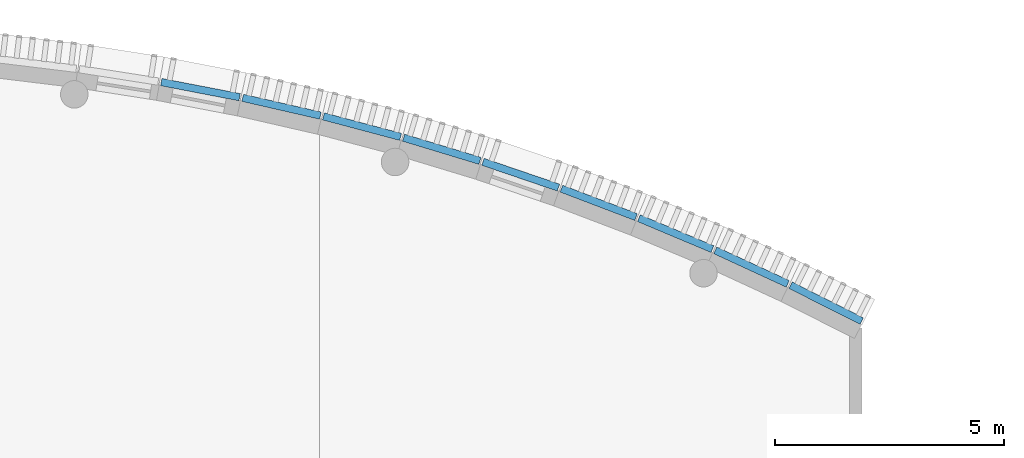
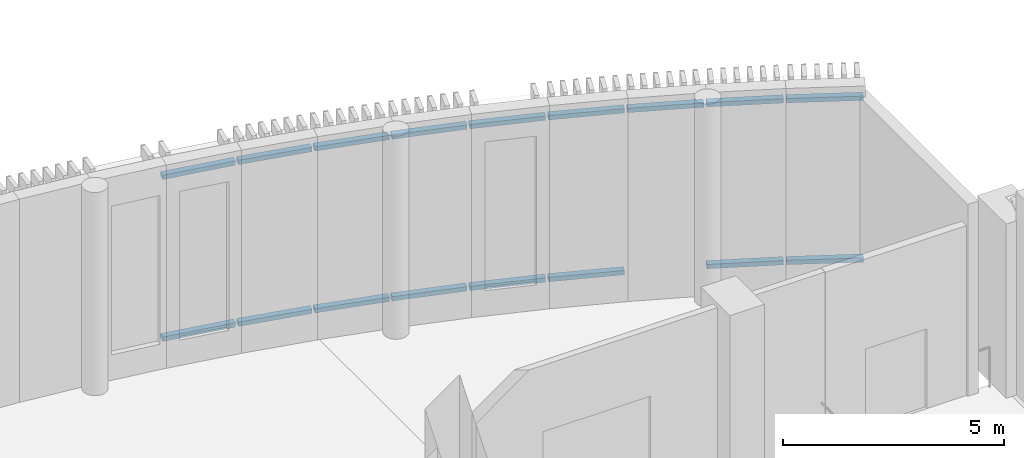
# One storey, part 62 of 80: 17 discrete accessories.
"""IFC4 building model written with IfcOpenShell, lengths in metres."""

from ifc_helpers import new_model, si_unit, direction, frame, origin, place, context, subcontext, project, spatial, rectangle, extrude, material, type_object, element, save


model = new_model("IFC4")

# Units and contexts
model_context = context("Model", 3, precision=1e-05, world=origin(), true_north=direction((0.0, 1.0)))
body_context = subcontext(model_context, "Body", "Model", "MODEL_VIEW")
ifc_project = project(units=[si_unit("LENGTHUNIT", "METRE"), si_unit("AREAUNIT", "SQUARE_METRE"), si_unit("VOLUMEUNIT", "CUBIC_METRE"), si_unit("PLANEANGLEUNIT", "RADIAN"), si_unit("MASSUNIT", "GRAM", prefix="KILO")], contexts=[model_context])

# Site, building, storey
site_placement = place(None, origin())
site = spatial("IfcSite", under=ifc_project, at=site_placement, CompositionType="ELEMENT")
building_placement = place(site_placement, origin())
building = spatial("IfcBuilding", under=site, at=building_placement, Name="Sardonyx Promenade Sports Hall", CompositionType="ELEMENT")
storey_placement = place(building_placement, frame((0.0, 0.0, 5.60009765625)))
storey = spatial("IfcBuildingStorey", under=building, at=storey_placement, Name="L01", CompositionType="ELEMENT", Elevation=5.60009765625)

# Discrete accessories
ifc_material = material(Name="Steel S355JR", Category="steel")
discrete_accessory_type = type_object("IfcDiscreteAccessoryType", Name="Acc_Bracket_S355", PredefinedType="BRACKET", material=ifc_material)
for number, where, z_axis, x_axis, name in (
    (1, (63.884733, 114.488361, 0.509902), (0.0, 0.0, 1.0), (0.98192966, -0.18924626, 0.0), "Facade outrigger bracket CH20 L01 #1"),
    (2, (63.884733, 114.488361, 4.969902), (0.0, 0.0, 1.0), (0.98192966, -0.18924626, 0.0), "Facade outrigger bracket CH20 L01 #2"),
    (3, (65.653911, 114.11552, 0.509902), (0.0, 0.0, 1.0), (0.97479158, -0.22311741, 0.0), "Facade outrigger bracket CH21 L01 #1"),
    (4, (65.653911, 114.11552, 4.969902), (0.0, 0.0, 1.0), (0.97479158, -0.22311741, 0.0), "Facade outrigger bracket CH21 L01 #2"),
    (5, (67.409125, 113.681672, 0.509902), (0.0, 0.0, 1.0), (0.96648549, -0.25672123, 0.0), "Facade outrigger bracket CH22 L01 #1"),
    (6, (67.409125, 113.681672, 4.969902), (0.0, 0.0, 1.0), (0.96648549, -0.25672123, 0.0), "Facade outrigger bracket CH22 L01 #2"),
    (7, (69.148272, 113.187335, 0.509902), (0.0, 0.0, 1.0), (0.95702136, -0.29001744, 0.0), "Facade outrigger bracket CH23 L01 #1"),
    (8, (69.148272, 113.187335, 4.969902), (0.0, 0.0, 1.0), (0.95702136, -0.29001744, 0.0), "Facade outrigger bracket CH23 L01 #2"),
    (9, (70.869268, 112.633102, 0.509902), (0.0, 0.0, 1.0), (0.94641052, -0.32296615, 0.0), "Facade outrigger bracket CH24 L01 #1"),
    (10, (70.869268, 112.633102, 4.969902), (0.0, 0.0, 1.0), (0.94641052, -0.32296615, 0.0), "Facade outrigger bracket CH24 L01 #2"),
    (11, (72.570051, 112.019638, 0.509902), (0.0, 0.0, 1.0), (0.93466568, -0.35552787, 0.0), "Facade outrigger bracket CH25 L01 #1"),
    (12, (72.570051, 112.019638, 4.969902), (0.0, 0.0, 1.0), (0.93466568, -0.35552787, 0.0), "Facade outrigger bracket CH25 L01 #2"),
    (13, (74.248583, 111.347677, 4.969902), (0.0, 0.0, 1.0), (0.92180024, -0.38766521, 0.0), "Facade outrigger bracket CH26 L01 #2"),
    (14, (75.902853, 110.618023, 0.509902), (0.0, 0.0, 1.0), (0.90783091, -0.41933642, 0.0), "Facade outrigger bracket CH27 L01 #1"),
    (15, (75.902853, 110.618023, 4.969902), (0.0, 0.0, 1.0), (0.90783091, -0.41933642, 0.0), "Facade outrigger bracket CH27 L01 #2"),
    (16, (77.530878, 109.831552, 0.509902), (0.0, 0.0, 1.0), (0.89277382, -0.45050517, 0.0), "Facade outrigger bracket CH28 L01 #1"),
    (17, (77.530878, 109.831552, 4.969902), (0.0, 0.0, 1.0), (0.89277382, -0.45050517, 0.0), "Facade outrigger bracket CH28 L01 #2"),
):
    element("IfcDiscreteAccessory", number, at=place(storey_placement, frame(where, z_axis=z_axis, x_axis=x_axis)), inside=storey, type_object=discrete_accessory_type, material=ifc_material, Name=name, PredefinedType="BRACKET", context=body_context, shape_type="SweptSolid", body=[
        extrude(rectangle(XDim=1.74, YDim=0.16), origin(), (0.0, 0.0, 1.0), 0.12),
    ])

save(model, "model.ifc")
